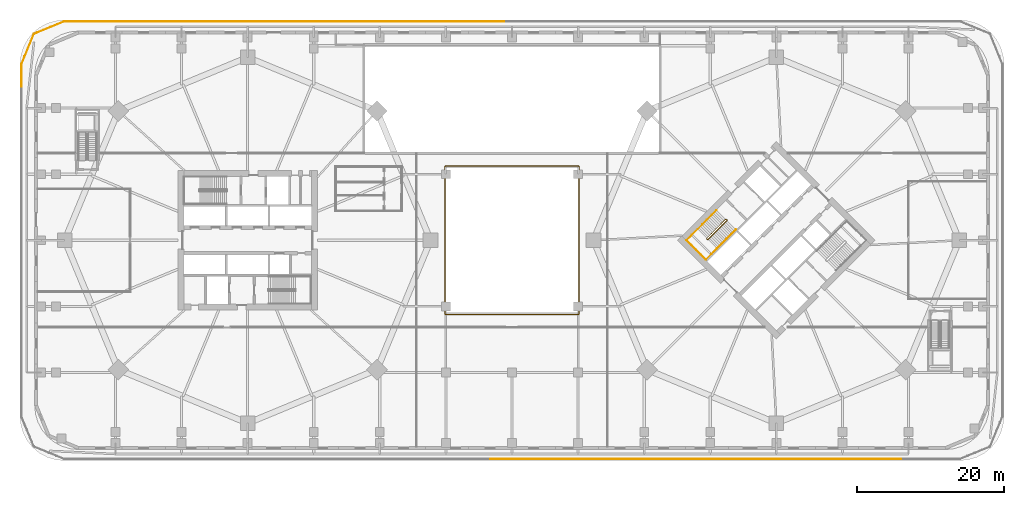
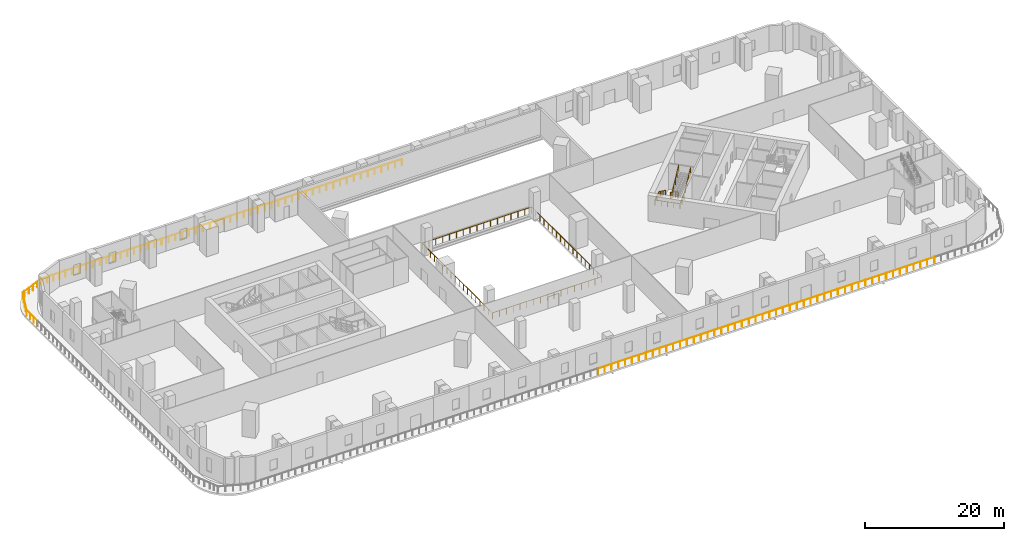
# One storey, part 15 of 17: 19 railings.
"""IFC4 building model written with IfcOpenShell, lengths in metres."""

from ifc_helpers import new_model, si_unit, direction, frame, origin, origin_2d, place, context, subcontext, project, spatial, circle, extrude, material, type_object, element, save


model = new_model("IFC4")

# Units and contexts
model_context = context("Model", 3, precision=1e-05, world=origin(), true_north=direction((0.0, 1.0)))
body_context = subcontext(model_context, "Body", "Model", "MODEL_VIEW")
ifc_project = project(units=[si_unit("LENGTHUNIT", "METRE"), si_unit("AREAUNIT", "SQUARE_METRE"), si_unit("VOLUMEUNIT", "CUBIC_METRE"), si_unit("PLANEANGLEUNIT", "RADIAN"), si_unit("MASSUNIT", "GRAM", prefix="KILO")], contexts=[model_context])

# Site, building, storey
site_placement = place(None, origin())
site = spatial("IfcSite", under=ifc_project, at=site_placement, CompositionType="ELEMENT")
building_placement = place(site_placement, origin())
building = spatial("IfcBuilding", under=site, at=building_placement, Name="Ogive Gate Towers", CompositionType="ELEMENT")
storey_placement = place(building_placement, frame((0.0, 0.0, 18.0)))
storey = spatial("IfcBuildingStorey", under=building, at=storey_placement, Name="L03", CompositionType="ELEMENT", Elevation=18.0)

# Railings
ifc_material_1 = material(Name="Stainless steel", Category="steel")
railing_type_1 = type_object("IfcRailingType", Name="Guard 1100", PredefinedType="GUARDRAIL", material=ifc_material_1)
for number, where, name in (
    (1, (-1.07763671875, 29.800048828125, 0.0), "Terrace guard"),
    (2, (-9.0673828125, 29.800048828125, 0.0), "Terrace guard"),
    (3, (-17.056884765625, 29.800048828125, 0.0), "Terrace guard"),
    (4, (-25.046630859375, 29.800048828125, 0.0), "Terrace guard"),
):
    element("IfcRailing", number, at=place(storey_placement, frame(where)), inside=storey, type_object=railing_type_1, Name=name, PredefinedType="GUARDRAIL", context=body_context, shape_type="SweptSolid", body=[
        extrude(circle(Radius=0.02392578125, at=origin_2d()), frame((0.0, 0.0, 1.076171875), z_axis=(-1.0, 0.0, 0.0), x_axis=(0.0, -1.0, 0.0)), (0.0, 0.0, 1.0), 7.939697265625),
        extrude(circle(Radius=0.02099609375, at=origin_2d()), origin(), (0.0, 0.0, 1.0), 1.052001953125),
        extrude(circle(Radius=0.02099609375, at=origin_2d()), frame((-1.13427734375, 0.0, 0.0)), (0.0, 0.0, 1.0), 1.052001953125),
        extrude(circle(Radius=0.02099609375, at=origin_2d()), frame((-2.2685546875, 0.0, 0.0)), (0.0, 0.0, 1.0), 1.052001953125),
        extrude(circle(Radius=0.02099609375, at=origin_2d()), frame((-3.40283203125, 0.0, 0.0)), (0.0, 0.0, 1.0), 1.052001953125),
        extrude(circle(Radius=0.02099609375, at=origin_2d()), frame((-4.536865234375, 0.0, 0.0)), (0.0, 0.0, 1.0), 1.052001953125),
        extrude(circle(Radius=0.02099609375, at=origin_2d()), frame((-5.671142578125, 0.0, 0.0)), (0.0, 0.0, 1.0), 1.052001953125),
        extrude(circle(Radius=0.02099609375, at=origin_2d()), frame((-6.805419921875, 0.0, 0.0)), (0.0, 0.0, 1.0), 1.052001953125),
        extrude(circle(Radius=0.02099609375, at=origin_2d()), frame((-7.939697265625, 0.0, 0.0)), (0.0, 0.0, 1.0), 1.052001953125),
    ])
railing_1_placement = place(storey_placement, frame((-33.036376953125, 29.800048828125, 0.0)))
element("IfcRailing", 5, at=railing_1_placement, inside=storey, type_object=railing_type_1, Name="Terrace guard", PredefinedType="GUARDRAIL", context=body_context, shape_type="SweptSolid", body=[
    extrude(circle(Radius=0.02392578125, at=origin_2d()), frame((0.0, 0.0, 1.076171875), z_axis=(-1.0, 0.0, 0.0), x_axis=(0.0, -1.0, 0.0)), (0.0, 0.0, 1.0), 7.939453125),
    extrude(circle(Radius=0.02099609375, at=origin_2d()), origin(), (0.0, 0.0, 1.0), 1.052001953125),
    extrude(circle(Radius=0.02099609375, at=origin_2d()), frame((-1.13427734375, 0.0, 0.0)), (0.0, 0.0, 1.0), 1.052001953125),
    extrude(circle(Radius=0.02099609375, at=origin_2d()), frame((-2.268310546875, 0.0, 0.0)), (0.0, 0.0, 1.0), 1.052001953125),
    extrude(circle(Radius=0.02099609375, at=origin_2d()), frame((-3.402587890625, 0.0, 0.0)), (0.0, 0.0, 1.0), 1.052001953125),
    extrude(circle(Radius=0.02099609375, at=origin_2d()), frame((-4.536865234375, 0.0, 0.0)), (0.0, 0.0, 1.0), 1.052001953125),
    extrude(circle(Radius=0.02099609375, at=origin_2d()), frame((-5.671142578125, 0.0, 0.0)), (0.0, 0.0, 1.0), 1.052001953125),
    extrude(circle(Radius=0.02099609375, at=origin_2d()), frame((-6.80517578125, 0.0, 0.0)), (0.0, 0.0, 1.0), 1.052001953125),
    extrude(circle(Radius=0.02099609375, at=origin_2d()), frame((-7.939453125, 0.0, 0.0)), (0.0, 0.0, 1.0), 1.052001953125),
])
for number, where, name in (
    (6, (-41.02587890625, 29.800048828125, 0.0), "Terrace guard"),
    (7, (-49.015380859375, 29.800048828125, 0.0), "Terrace guard"),
):
    element("IfcRailing", number, at=place(storey_placement, frame(where)), inside=storey, type_object=railing_type_1, Name=name, PredefinedType="GUARDRAIL", context=body_context, shape_type="SweptSolid", body=[
        extrude(circle(Radius=0.02392578125, at=origin_2d()), frame((0.0, 0.0, 1.076171875), z_axis=(-1.0, 0.0, 0.0), x_axis=(0.0, -1.0, 0.0)), (0.0, 0.0, 1.0), 7.939697265625),
        extrude(circle(Radius=0.02099609375, at=origin_2d()), origin(), (0.0, 0.0, 1.0), 1.052001953125),
        extrude(circle(Radius=0.02099609375, at=origin_2d()), frame((-1.13427734375, 0.0, 0.0)), (0.0, 0.0, 1.0), 1.052001953125),
        extrude(circle(Radius=0.02099609375, at=origin_2d()), frame((-2.2685546875, 0.0, 0.0)), (0.0, 0.0, 1.0), 1.052001953125),
        extrude(circle(Radius=0.02099609375, at=origin_2d()), frame((-3.40283203125, 0.0, 0.0)), (0.0, 0.0, 1.0), 1.052001953125),
        extrude(circle(Radius=0.02099609375, at=origin_2d()), frame((-4.536865234375, 0.0, 0.0)), (0.0, 0.0, 1.0), 1.052001953125),
        extrude(circle(Radius=0.02099609375, at=origin_2d()), frame((-5.671142578125, 0.0, 0.0)), (0.0, 0.0, 1.0), 1.052001953125),
        extrude(circle(Radius=0.02099609375, at=origin_2d()), frame((-6.805419921875, 0.0, 0.0)), (0.0, 0.0, 1.0), 1.052001953125),
        extrude(circle(Radius=0.02099609375, at=origin_2d()), frame((-7.939697265625, 0.0, 0.0)), (0.0, 0.0, 1.0), 1.052001953125),
    ])
railing_2_placement = place(storey_placement, frame((-57.005126953125, 29.800048828125, 0.0)))
element("IfcRailing", 8, at=railing_2_placement, inside=storey, type_object=railing_type_1, Name="Terrace guard", PredefinedType="GUARDRAIL", context=body_context, shape_type="SweptSolid", body=[
    extrude(circle(Radius=0.02392578125, at=origin_2d()), frame((0.0, 0.0, 1.076171875), z_axis=(-1.0, 0.0, 0.0), x_axis=(0.0, -1.0, 0.0)), (0.0, 0.0, 1.0), 3.994873046875),
    extrude(circle(Radius=0.02392578125, at=origin_2d()), frame((-3.994873046875, 0.0, 1.076171875), z_axis=(-0.923865967155, -0.382716180391, 0.0), x_axis=(0.382716180391, -0.923865967155, 0.0)), (0.0, 0.0, 1.0), 3.94482421875),
    extrude(circle(Radius=0.02099609375, at=origin_2d()), origin(), (0.0, 0.0, 1.0), 1.052001953125),
    extrude(circle(Radius=0.02099609375, at=origin_2d()), frame((-0.998779296875, 0.0, 0.0)), (0.0, 0.0, 1.0), 1.052001953125),
    extrude(circle(Radius=0.02099609375, at=origin_2d()), frame((-1.99755859375, 0.0, 0.0)), (0.0, 0.0, 1.0), 1.052001953125),
    extrude(circle(Radius=0.02099609375, at=origin_2d()), frame((-2.99609375, 0.0, 0.0)), (0.0, 0.0, 1.0), 1.052001953125),
    extrude(circle(Radius=0.02099609375, at=origin_2d()), frame((-3.994873046875, 0.0, 0.0)), (0.0, 0.0, 1.0), 1.052001953125),
    extrude(circle(Radius=0.02099609375, at=origin_2d()), frame((-4.906005859375, -0.37744140625, 0.0)), (0.0, 0.0, 1.0), 1.052001953125),
    extrude(circle(Radius=0.02099609375, at=origin_2d()), frame((-5.817138671875, -0.7548828125, 0.0)), (0.0, 0.0, 1.0), 1.052001953125),
    extrude(circle(Radius=0.02099609375, at=origin_2d()), frame((-6.728271484375, -1.13232421875, 0.0)), (0.0, 0.0, 1.0), 1.052001953125),
    extrude(circle(Radius=0.02099609375, at=origin_2d()), frame((-7.639404296875, -1.509765625, 0.0)), (0.0, 0.0, 1.0), 1.052001953125),
])
railing_3_placement = place(storey_placement, frame((-64.690673828125, 28.271240234375, 0.0)))
element("IfcRailing", 9, at=railing_3_placement, inside=storey, type_object=railing_type_1, Name="Terrace guard", PredefinedType="GUARDRAIL", context=body_context, shape_type="SweptSolid", body=[
    extrude(circle(Radius=0.02392578125, at=origin_2d()), frame((0.0, 0.0, 1.076171875), z_axis=(-0.924016832422, -0.382351792726, 0.0), x_axis=(0.382351792726, -0.924016832422, 0.0)), (0.0, 0.0, 1.0), 0.4443359375),
    extrude(circle(Radius=0.02392578125, at=origin_2d()), frame((-0.41064453125, -0.169921875, 1.076171875), z_axis=(-0.382665892976, -0.923886797369, 0.0), x_axis=(0.923886797369, -0.382665892976, 0.0)), (0.0, 0.0, 1.0), 4.439208984375),
    extrude(circle(Radius=0.02392578125, at=origin_2d()), frame((-2.109375, -4.271240234375, 1.076171875), z_axis=(0.0, -1.0, 0.0), x_axis=(1.0, 0.0, 0.0)), (0.0, 0.0, 1.0), 3.05615234375),
    extrude(circle(Radius=0.02099609375, at=origin_2d()), origin(), (0.0, 0.0, 1.0), 1.052001953125),
    extrude(circle(Radius=0.02099609375, at=origin_2d()), frame((-0.41064453125, -0.169921875, 0.0)), (0.0, 0.0, 1.0), 1.052001953125),
    extrude(circle(Radius=0.02099609375, at=origin_2d()), frame((-0.83544921875, -1.1953125, 0.0)), (0.0, 0.0, 1.0), 1.052001953125),
    extrude(circle(Radius=0.02099609375, at=origin_2d()), frame((-1.260009765625, -2.220703125, 0.0)), (0.0, 0.0, 1.0), 1.052001953125),
    extrude(circle(Radius=0.02099609375, at=origin_2d()), frame((-1.6845703125, -3.245849609375, 0.0)), (0.0, 0.0, 1.0), 1.052001953125),
    extrude(circle(Radius=0.02099609375, at=origin_2d()), frame((-2.109375, -4.271240234375, 0.0)), (0.0, 0.0, 1.0), 1.052001953125),
    extrude(circle(Radius=0.02099609375, at=origin_2d()), frame((-2.109375, -5.2900390625, 0.0)), (0.0, 0.0, 1.0), 1.052001953125),
    extrude(circle(Radius=0.02099609375, at=origin_2d()), frame((-2.109375, -6.30859375, 0.0)), (0.0, 0.0, 1.0), 1.052001953125),
    extrude(circle(Radius=0.02099609375, at=origin_2d()), frame((-2.109375, -7.327392578125, 0.0)), (0.0, 0.0, 1.0), 1.052001953125),
])
railing_4_placement = place(storey_placement, frame((-2.9169921875, -29.800048828125, 0.0)))
element("IfcRailing", 10, at=railing_4_placement, inside=storey, type_object=railing_type_1, Name="Terrace guard", PredefinedType="GUARDRAIL", context=body_context, shape_type="SweptSolid", body=[
    extrude(circle(Radius=0.02392578125, at=origin_2d()), frame((0.0, 0.0, 1.076171875), z_axis=(1.0, 0.0, 0.0), x_axis=(0.0, 1.0, 0.0)), (0.0, 0.0, 1.0), 7.939453125),
    extrude(circle(Radius=0.02099609375, at=origin_2d()), origin(), (0.0, 0.0, 1.0), 1.052001953125),
    extrude(circle(Radius=0.02099609375, at=origin_2d()), frame((1.13427734375, 0.0, 0.0)), (0.0, 0.0, 1.0), 1.052001953125),
    extrude(circle(Radius=0.02099609375, at=origin_2d()), frame((2.268310546875, 0.0, 0.0)), (0.0, 0.0, 1.0), 1.052001953125),
    extrude(circle(Radius=0.02099609375, at=origin_2d()), frame((3.402587890625, 0.0, 0.0)), (0.0, 0.0, 1.0), 1.052001953125),
    extrude(circle(Radius=0.02099609375, at=origin_2d()), frame((4.536865234375, 0.0, 0.0)), (0.0, 0.0, 1.0), 1.052001953125),
    extrude(circle(Radius=0.02099609375, at=origin_2d()), frame((5.671142578125, 0.0, 0.0)), (0.0, 0.0, 1.0), 1.052001953125),
    extrude(circle(Radius=0.02099609375, at=origin_2d()), frame((6.80517578125, 0.0, 0.0)), (0.0, 0.0, 1.0), 1.052001953125),
    extrude(circle(Radius=0.02099609375, at=origin_2d()), frame((7.939453125, 0.0, 0.0)), (0.0, 0.0, 1.0), 1.052001953125),
])
railing_5_placement = place(storey_placement, frame((5.072509765625, -29.800048828125, 0.0)))
element("IfcRailing", 11, at=railing_5_placement, inside=storey, type_object=railing_type_1, Name="Terrace guard", PredefinedType="GUARDRAIL", context=body_context, shape_type="SweptSolid", body=[
    extrude(circle(Radius=0.02392578125, at=origin_2d()), frame((0.0, 0.0, 1.076171875), z_axis=(1.0, 0.0, 0.0), x_axis=(0.0, 1.0, 0.0)), (0.0, 0.0, 1.0), 7.939697265625),
    extrude(circle(Radius=0.02099609375, at=origin_2d()), origin(), (0.0, 0.0, 1.0), 1.052001953125),
    extrude(circle(Radius=0.02099609375, at=origin_2d()), frame((1.13427734375, 0.0, 0.0)), (0.0, 0.0, 1.0), 1.052001953125),
    extrude(circle(Radius=0.02099609375, at=origin_2d()), frame((2.2685546875, 0.0, 0.0)), (0.0, 0.0, 1.0), 1.052001953125),
    extrude(circle(Radius=0.02099609375, at=origin_2d()), frame((3.40283203125, 0.0, 0.0)), (0.0, 0.0, 1.0), 1.052001953125),
    extrude(circle(Radius=0.02099609375, at=origin_2d()), frame((4.536865234375, 0.0, 0.0)), (0.0, 0.0, 1.0), 1.052001953125),
    extrude(circle(Radius=0.02099609375, at=origin_2d()), frame((5.671142578125, 0.0, 0.0)), (0.0, 0.0, 1.0), 1.052001953125),
    extrude(circle(Radius=0.02099609375, at=origin_2d()), frame((6.805419921875, 0.0, 0.0)), (0.0, 0.0, 1.0), 1.052001953125),
    extrude(circle(Radius=0.02099609375, at=origin_2d()), frame((7.939697265625, 0.0, 0.0)), (0.0, 0.0, 1.0), 1.052001953125),
])
railing_6_placement = place(storey_placement, frame((13.062255859375, -29.800048828125, 0.0)))
element("IfcRailing", 12, at=railing_6_placement, inside=storey, type_object=railing_type_1, Name="Terrace guard", PredefinedType="GUARDRAIL", context=body_context, shape_type="SweptSolid", body=[
    extrude(circle(Radius=0.02392578125, at=origin_2d()), frame((0.0, 0.0, 1.076171875), z_axis=(1.0, 0.0, 0.0), x_axis=(0.0, 1.0, 0.0)), (0.0, 0.0, 1.0), 7.939453125),
    extrude(circle(Radius=0.02099609375, at=origin_2d()), origin(), (0.0, 0.0, 1.0), 1.052001953125),
    extrude(circle(Radius=0.02099609375, at=origin_2d()), frame((1.13427734375, 0.0, 0.0)), (0.0, 0.0, 1.0), 1.052001953125),
    extrude(circle(Radius=0.02099609375, at=origin_2d()), frame((2.268310546875, 0.0, 0.0)), (0.0, 0.0, 1.0), 1.052001953125),
    extrude(circle(Radius=0.02099609375, at=origin_2d()), frame((3.402587890625, 0.0, 0.0)), (0.0, 0.0, 1.0), 1.052001953125),
    extrude(circle(Radius=0.02099609375, at=origin_2d()), frame((4.536865234375, 0.0, 0.0)), (0.0, 0.0, 1.0), 1.052001953125),
    extrude(circle(Radius=0.02099609375, at=origin_2d()), frame((5.671142578125, 0.0, 0.0)), (0.0, 0.0, 1.0), 1.052001953125),
    extrude(circle(Radius=0.02099609375, at=origin_2d()), frame((6.80517578125, 0.0, 0.0)), (0.0, 0.0, 1.0), 1.052001953125),
    extrude(circle(Radius=0.02099609375, at=origin_2d()), frame((7.939453125, 0.0, 0.0)), (0.0, 0.0, 1.0), 1.052001953125),
])
for number, where, name in (
    (13, (21.0517578125, -29.800048828125, 0.0), "Terrace guard"),
    (14, (29.04150390625, -29.800048828125, 0.0), "Terrace guard"),
    (15, (37.031005859375, -29.800048828125, 0.0), "Terrace guard"),
    (16, (45.020751953125, -29.800048828125, 0.0), "Terrace guard"),
):
    element("IfcRailing", number, at=place(storey_placement, frame(where)), inside=storey, type_object=railing_type_1, Name=name, PredefinedType="GUARDRAIL", context=body_context, shape_type="SweptSolid", body=[
        extrude(circle(Radius=0.02392578125, at=origin_2d()), frame((0.0, 0.0, 1.076171875), z_axis=(1.0, 0.0, 0.0), x_axis=(0.0, 1.0, 0.0)), (0.0, 0.0, 1.0), 7.939697265625),
        extrude(circle(Radius=0.02099609375, at=origin_2d()), origin(), (0.0, 0.0, 1.0), 1.052001953125),
        extrude(circle(Radius=0.02099609375, at=origin_2d()), frame((1.13427734375, 0.0, 0.0)), (0.0, 0.0, 1.0), 1.052001953125),
        extrude(circle(Radius=0.02099609375, at=origin_2d()), frame((2.2685546875, 0.0, 0.0)), (0.0, 0.0, 1.0), 1.052001953125),
        extrude(circle(Radius=0.02099609375, at=origin_2d()), frame((3.40283203125, 0.0, 0.0)), (0.0, 0.0, 1.0), 1.052001953125),
        extrude(circle(Radius=0.02099609375, at=origin_2d()), frame((4.536865234375, 0.0, 0.0)), (0.0, 0.0, 1.0), 1.052001953125),
        extrude(circle(Radius=0.02099609375, at=origin_2d()), frame((5.671142578125, 0.0, 0.0)), (0.0, 0.0, 1.0), 1.052001953125),
        extrude(circle(Radius=0.02099609375, at=origin_2d()), frame((6.805419921875, 0.0, 0.0)), (0.0, 0.0, 1.0), 1.052001953125),
        extrude(circle(Radius=0.02099609375, at=origin_2d()), frame((7.939697265625, 0.0, 0.0)), (0.0, 0.0, 1.0), 1.052001953125),
    ])
railing_type_2 = type_object("IfcRailingType", Name="Stair guard 1100", PredefinedType="GUARDRAIL", material=ifc_material_1)
railing_7_placement = place(storey_placement, frame((29.15869140625, 2.8603515625, 0.0)))
element("IfcRailing", 17, at=railing_7_placement, inside=storey, type_object=railing_type_2, Name="L03 ST1 stair guard 1", PredefinedType="GUARDRAIL", context=body_context, shape_type="SweptSolid", body=[
    extrude(circle(Radius=0.02392578125, at=origin_2d()), frame((0.0, 0.0, 1.076171875), z_axis=(0.707106781187, -0.707106781187, 0.0), x_axis=(0.707106781187, 0.707106781187, 0.0)), (0.0, 0.0, 1.0), 0.14501953125),
    extrude(circle(Radius=0.02392578125, at=origin_2d()), frame((0.1025390625, -0.1025390625, 1.076171875), z_axis=(-0.65494335095, 0.387977725527, 0.648477055524), x_axis=(-0.509669330572, -0.860370369942, 0.0)), (0.0, 0.0, 1.0), 0.264404296875),
    extrude(circle(Radius=0.02392578125, at=origin_2d()), frame((-0.070556640625, 0.0, 1.24755859375), z_axis=(-0.603067823642, -0.603067823642, 0.522128719929), x_axis=(0.707106781187, -0.707106781187, 0.0)), (0.0, 0.0, 1.0), 4.26806640625),
    extrude(circle(Radius=0.02392578125, at=origin_2d()), frame((-2.64453125, -2.573974609375, 3.47607421875), z_axis=(0.0, -1.0, 0.0), x_axis=(1.0, 0.0, 0.0)), (0.0, 0.0, 1.0), 0.07080078125),
    extrude(circle(Radius=0.02392578125, at=origin_2d()), frame((-2.64453125, -2.644775390625, 3.47607421875), z_axis=(0.707106781187, -0.707106781187, 0.0), x_axis=(0.707106781187, 0.707106781187, 0.0)), (0.0, 0.0, 1.0), 0.14501953125),
    extrude(circle(Radius=0.02392578125, at=origin_2d()), frame((-2.5419921875, -2.747314453125, 3.47607421875), z_axis=(0.381344969993, 0.0, 0.924432806569), x_axis=(0.0, 1.0, 0.0)), (0.0, 0.0, 1.0), 0.185546875),
    extrude(circle(Radius=0.02392578125, at=origin_2d()), frame((-2.47119140625, -2.747314453125, 3.6474609375), z_axis=(0.603031424376, 0.60308862713, 0.522146731333), x_axis=(-0.707140316402, 0.707073244381, 0.0)), (0.0, 0.0, 1.0), 4.26806640625),
    extrude(circle(Radius=0.02099609375, at=origin_2d()), origin(), (0.0, 0.0, 1.0), 1.052001953125),
    extrude(circle(Radius=0.02099609375, at=origin_2d()), frame((0.1025390625, -0.1025390625, 0.0)), (0.0, 0.0, 1.0), 1.052001953125),
    extrude(circle(Radius=0.02099609375, at=origin_2d()), frame((-0.070556640625, 0.0, 0.17138671875)), (0.0, 0.0, 1.0), 1.052001953125),
    extrude(circle(Radius=0.02099609375, at=origin_2d()), frame((-0.714111328125, -0.6435546875, 0.728515625)), (0.0, 0.0, 1.0), 1.052001953125),
    extrude(circle(Radius=0.02099609375, at=origin_2d()), frame((-1.357421875, -1.287109375, 1.28564453125)), (0.0, 0.0, 1.0), 1.052001953125),
    extrude(circle(Radius=0.02099609375, at=origin_2d()), frame((-2.0009765625, -1.930419921875, 1.8427734375)), (0.0, 0.0, 1.0), 1.052001953125),
    extrude(circle(Radius=0.02099609375, at=origin_2d()), frame((-2.64453125, -2.573974609375, 2.39990234375)), (0.0, 0.0, 1.0), 1.052001953125),
    extrude(circle(Radius=0.02099609375, at=origin_2d()), frame((-2.64453125, -2.644775390625, 2.39990234375)), (0.0, 0.0, 1.0), 1.052001953125),
    extrude(circle(Radius=0.02099609375, at=origin_2d()), frame((-2.5419921875, -2.747314453125, 2.39990234375)), (0.0, 0.0, 1.0), 1.052001953125),
    extrude(circle(Radius=0.02099609375, at=origin_2d()), frame((-2.47119140625, -2.747314453125, 2.571533203125)), (0.0, 0.0, 1.0), 1.052001953125),
    extrude(circle(Radius=0.02099609375, at=origin_2d()), frame((-1.82763671875, -2.103759765625, 3.128662109375)), (0.0, 0.0, 1.0), 1.052001953125),
    extrude(circle(Radius=0.02099609375, at=origin_2d()), frame((-1.184326171875, -1.46044921875, 3.685791015625)), (0.0, 0.0, 1.0), 1.052001953125),
    extrude(circle(Radius=0.02099609375, at=origin_2d()), frame((-0.541015625, -0.81689453125, 4.242919921875)), (0.0, 0.0, 1.0), 1.052001953125),
    extrude(circle(Radius=0.02099609375, at=origin_2d()), frame((0.1025390625, -0.17333984375, 4.800048828125)), (0.0, 0.0, 1.0), 1.052001953125),
])
railing_type_3 = type_object("IfcRailingType", Name="Stair handrail 900", PredefinedType="HANDRAIL", material=ifc_material_1)
railing_8_placement = place(storey_placement, frame((27.857666015625, 4.090576171875, 0.17138671875)))
element("IfcRailing", 18, at=railing_8_placement, inside=storey, type_object=railing_type_3, Name="L03 ST1 stair handrail 1", PredefinedType="HANDRAIL", context=body_context, shape_type="SweptSolid", body=[
    extrude(circle(Radius=0.02392578125, at=origin_2d()), frame((0.0, 0.0, 0.8759765625), z_axis=(-0.60308862713, -0.603031424376, 0.522146731333), x_axis=(0.707073244381, -0.707140316402, 0.0)), (0.0, 0.0, 1.0), 4.26806640625),
    extrude(circle(Radius=0.02392578125, at=origin_2d()), frame((-2.573974609375, -2.57373046875, 3.1044921875), z_axis=(-0.707049868894, -0.707163688899, 0.0), x_axis=(0.707163688899, -0.707049868894, 0.0)), (0.0, 0.0, 1.0), 2.14501953125),
    extrude(circle(Radius=0.02392578125, at=origin_2d()), frame((-4.090576171875, -4.090576171875, 3.1044921875), z_axis=(0.707106781187, -0.707106781187, 0.0), x_axis=(0.707106781187, 0.707106781187, 0.0)), (0.0, 0.0, 1.0), 3.72509765625),
    extrude(circle(Radius=0.02392578125, at=origin_2d()), frame((-1.45654296875, -6.724609375, 3.1044921875), z_axis=(0.704797245584, 0.704910702964, 0.079760538256), x_axis=(-0.707163688899, 0.707049868894, 0.0)), (0.0, 0.0, 1.0), 2.15185546875),
    extrude(circle(Radius=0.02392578125, at=origin_2d()), frame((0.06005859375, -5.207763671875, 3.27587890625), z_axis=(0.60308862713, 0.603031424376, 0.522146731333), x_axis=(-0.707073244381, 0.707140316402, 0.0)), (0.0, 0.0, 1.0), 4.26806640625),
    extrude(circle(Radius=0.02099609375, at=origin_2d()), origin(), (0.0, 0.0, 1.0), 0.851806640625),
    extrude(circle(Radius=0.02099609375, at=origin_2d()), frame((-0.6435546875, -0.6435546875, 0.55712890625)), (0.0, 0.0, 1.0), 0.851806640625),
    extrude(circle(Radius=0.02099609375, at=origin_2d()), frame((-1.287109375, -1.286865234375, 1.1142578125)), (0.0, 0.0, 1.0), 0.851806640625),
    extrude(circle(Radius=0.02099609375, at=origin_2d()), frame((-1.930419921875, -1.93017578125, 1.67138671875)), (0.0, 0.0, 1.0), 0.851806640625),
    extrude(circle(Radius=0.02099609375, at=origin_2d()), frame((-2.573974609375, -2.57373046875, 2.228515625)), (0.0, 0.0, 1.0), 0.851806640625),
    extrude(circle(Radius=0.02099609375, at=origin_2d()), frame((-3.332275390625, -3.33203125, 2.228515625)), (0.0, 0.0, 1.0), 0.851806640625),
    extrude(circle(Radius=0.02099609375, at=origin_2d()), frame((-4.090576171875, -4.090576171875, 2.228515625)), (0.0, 0.0, 1.0), 0.851806640625),
    extrude(circle(Radius=0.02099609375, at=origin_2d()), frame((-3.43212890625, -4.7490234375, 2.228515625)), (0.0, 0.0, 1.0), 0.851806640625),
    extrude(circle(Radius=0.02099609375, at=origin_2d()), frame((-2.7734375, -5.40771484375, 2.228515625)), (0.0, 0.0, 1.0), 0.851806640625),
    extrude(circle(Radius=0.02099609375, at=origin_2d()), frame((-2.114990234375, -6.066162109375, 2.228515625)), (0.0, 0.0, 1.0), 0.851806640625),
    extrude(circle(Radius=0.02099609375, at=origin_2d()), frame((-1.45654296875, -6.724609375, 2.228515625)), (0.0, 0.0, 1.0), 0.851806640625),
    extrude(circle(Radius=0.02099609375, at=origin_2d()), frame((-0.6982421875, -5.96630859375, 2.314453125)), (0.0, 0.0, 1.0), 0.851806640625),
    extrude(circle(Radius=0.02099609375, at=origin_2d()), frame((0.06005859375, -5.207763671875, 2.400146484375)), (0.0, 0.0, 1.0), 0.851806640625),
    extrude(circle(Radius=0.02099609375, at=origin_2d()), frame((0.70361328125, -4.564453125, 2.957275390625)), (0.0, 0.0, 1.0), 0.851806640625),
    extrude(circle(Radius=0.02099609375, at=origin_2d()), frame((1.34716796875, -3.9208984375, 3.514404296875)), (0.0, 0.0, 1.0), 0.851806640625),
    extrude(circle(Radius=0.02099609375, at=origin_2d()), frame((1.990478515625, -3.27734375, 4.071533203125)), (0.0, 0.0, 1.0), 0.851806640625),
    extrude(circle(Radius=0.02099609375, at=origin_2d()), frame((2.634033203125, -2.634033203125, 4.628662109375)), (0.0, 0.0, 1.0), 0.851806640625),
])
ifc_material_2 = material(Name="Steel and glass guard", Category="steel")
railing_type_4 = type_object("IfcRailingType", Name="Void guard 1100", PredefinedType="GUARDRAIL", material=ifc_material_2)
railing_9_placement = place(storey_placement, frame((-9.10009765625, -10.10009765625, 0.0)))
element("IfcRailing", 19, at=railing_9_placement, inside=storey, type_object=railing_type_4, Name="L03 nave guard", PredefinedType="GUARDRAIL", context=body_context, shape_type="SweptSolid", body=[
    extrude(circle(Radius=0.02392578125, at=origin_2d()), frame((0.0, 0.0, 1.076171875), z_axis=(0.0, 1.0, 0.0), x_axis=(-1.0, 0.0, 0.0)), (0.0, 0.0, 1.0), 20.2001953125),
    extrude(circle(Radius=0.02392578125, at=origin_2d()), frame((0.0, 20.2001953125, 1.076171875), z_axis=(1.0, 0.0, 0.0), x_axis=(0.0, 1.0, 0.0)), (0.0, 0.0, 1.0), 18.2001953125),
    extrude(circle(Radius=0.02392578125, at=origin_2d()), frame((18.2001953125, 20.2001953125, 1.076171875), z_axis=(0.0, -1.0, 0.0), x_axis=(1.0, 0.0, 0.0)), (0.0, 0.0, 1.0), 20.2001953125),
    extrude(circle(Radius=0.02392578125, at=origin_2d()), frame((18.2001953125, 0.0, 1.076171875), z_axis=(-1.0, 0.0, 0.0), x_axis=(0.0, -1.0, 0.0)), (0.0, 0.0, 1.0), 18.130126953125),
    extrude(circle(Radius=0.02099609375, at=origin_2d()), origin(), (0.0, 0.0, 1.0), 1.052001953125),
    extrude(circle(Radius=0.02099609375, at=origin_2d()), frame((0.0, 1.188232421875, 0.0)), (0.0, 0.0, 1.0), 1.052001953125),
    extrude(circle(Radius=0.02099609375, at=origin_2d()), frame((0.0, 2.37646484375, 0.0)), (0.0, 0.0, 1.0), 1.052001953125),
    extrude(circle(Radius=0.02099609375, at=origin_2d()), frame((0.0, 3.564697265625, 0.0)), (0.0, 0.0, 1.0), 1.052001953125),
    extrude(circle(Radius=0.02099609375, at=origin_2d()), frame((0.0, 4.7529296875, 0.0)), (0.0, 0.0, 1.0), 1.052001953125),
    extrude(circle(Radius=0.02099609375, at=origin_2d()), frame((0.0, 5.941162109375, 0.0)), (0.0, 0.0, 1.0), 1.052001953125),
    extrude(circle(Radius=0.02099609375, at=origin_2d()), frame((0.0, 7.12939453125, 0.0)), (0.0, 0.0, 1.0), 1.052001953125),
    extrude(circle(Radius=0.02099609375, at=origin_2d()), frame((0.0, 8.317626953125, 0.0)), (0.0, 0.0, 1.0), 1.052001953125),
    extrude(circle(Radius=0.02099609375, at=origin_2d()), frame((0.0, 9.505859375, 0.0)), (0.0, 0.0, 1.0), 1.052001953125),
    extrude(circle(Radius=0.02099609375, at=origin_2d()), frame((0.0, 10.6943359375, 0.0)), (0.0, 0.0, 1.0), 1.052001953125),
    extrude(circle(Radius=0.02099609375, at=origin_2d()), frame((0.0, 11.882568359375, 0.0)), (0.0, 0.0, 1.0), 1.052001953125),
    extrude(circle(Radius=0.02099609375, at=origin_2d()), frame((0.0, 13.07080078125, 0.0)), (0.0, 0.0, 1.0), 1.052001953125),
    extrude(circle(Radius=0.02099609375, at=origin_2d()), frame((0.0, 14.259033203125, 0.0)), (0.0, 0.0, 1.0), 1.052001953125),
    extrude(circle(Radius=0.02099609375, at=origin_2d()), frame((0.0, 15.447265625, 0.0)), (0.0, 0.0, 1.0), 1.052001953125),
    extrude(circle(Radius=0.02099609375, at=origin_2d()), frame((0.0, 16.635498046875, 0.0)), (0.0, 0.0, 1.0), 1.052001953125),
    extrude(circle(Radius=0.02099609375, at=origin_2d()), frame((0.0, 17.82373046875, 0.0)), (0.0, 0.0, 1.0), 1.052001953125),
    extrude(circle(Radius=0.02099609375, at=origin_2d()), frame((0.0, 19.011962890625, 0.0)), (0.0, 0.0, 1.0), 1.052001953125),
    extrude(circle(Radius=0.02099609375, at=origin_2d()), frame((0.0, 20.2001953125, 0.0)), (0.0, 0.0, 1.0), 1.052001953125),
    extrude(circle(Radius=0.02099609375, at=origin_2d()), frame((1.137451171875, 20.2001953125, 0.0)), (0.0, 0.0, 1.0), 1.052001953125),
    extrude(circle(Radius=0.02099609375, at=origin_2d()), frame((2.27490234375, 20.2001953125, 0.0)), (0.0, 0.0, 1.0), 1.052001953125),
    extrude(circle(Radius=0.02099609375, at=origin_2d()), frame((3.41259765625, 20.2001953125, 0.0)), (0.0, 0.0, 1.0), 1.052001953125),
    extrude(circle(Radius=0.02099609375, at=origin_2d()), frame((4.550048828125, 20.2001953125, 0.0)), (0.0, 0.0, 1.0), 1.052001953125),
    extrude(circle(Radius=0.02099609375, at=origin_2d()), frame((5.6875, 20.2001953125, 0.0)), (0.0, 0.0, 1.0), 1.052001953125),
    extrude(circle(Radius=0.02099609375, at=origin_2d()), frame((6.8251953125, 20.2001953125, 0.0)), (0.0, 0.0, 1.0), 1.052001953125),
    extrude(circle(Radius=0.02099609375, at=origin_2d()), frame((7.962646484375, 20.2001953125, 0.0)), (0.0, 0.0, 1.0), 1.052001953125),
    extrude(circle(Radius=0.02099609375, at=origin_2d()), frame((9.10009765625, 20.2001953125, 0.0)), (0.0, 0.0, 1.0), 1.052001953125),
    extrude(circle(Radius=0.02099609375, at=origin_2d()), frame((10.237548828125, 20.2001953125, 0.0)), (0.0, 0.0, 1.0), 1.052001953125),
    extrude(circle(Radius=0.02099609375, at=origin_2d()), frame((11.375, 20.2001953125, 0.0)), (0.0, 0.0, 1.0), 1.052001953125),
    extrude(circle(Radius=0.02099609375, at=origin_2d()), frame((12.5126953125, 20.2001953125, 0.0)), (0.0, 0.0, 1.0), 1.052001953125),
    extrude(circle(Radius=0.02099609375, at=origin_2d()), frame((13.650146484375, 20.2001953125, 0.0)), (0.0, 0.0, 1.0), 1.052001953125),
    extrude(circle(Radius=0.02099609375, at=origin_2d()), frame((14.78759765625, 20.2001953125, 0.0)), (0.0, 0.0, 1.0), 1.052001953125),
    extrude(circle(Radius=0.02099609375, at=origin_2d()), frame((15.92529296875, 20.2001953125, 0.0)), (0.0, 0.0, 1.0), 1.052001953125),
    extrude(circle(Radius=0.02099609375, at=origin_2d()), frame((17.062744140625, 20.2001953125, 0.0)), (0.0, 0.0, 1.0), 1.052001953125),
    extrude(circle(Radius=0.02099609375, at=origin_2d()), frame((18.2001953125, 20.2001953125, 0.0)), (0.0, 0.0, 1.0), 1.052001953125),
    extrude(circle(Radius=0.02099609375, at=origin_2d()), frame((18.2001953125, 19.011962890625, 0.0)), (0.0, 0.0, 1.0), 1.052001953125),
    extrude(circle(Radius=0.02099609375, at=origin_2d()), frame((18.2001953125, 17.82373046875, 0.0)), (0.0, 0.0, 1.0), 1.052001953125),
    extrude(circle(Radius=0.02099609375, at=origin_2d()), frame((18.2001953125, 16.635498046875, 0.0)), (0.0, 0.0, 1.0), 1.052001953125),
    extrude(circle(Radius=0.02099609375, at=origin_2d()), frame((18.2001953125, 15.447265625, 0.0)), (0.0, 0.0, 1.0), 1.052001953125),
    extrude(circle(Radius=0.02099609375, at=origin_2d()), frame((18.2001953125, 14.259033203125, 0.0)), (0.0, 0.0, 1.0), 1.052001953125),
    extrude(circle(Radius=0.02099609375, at=origin_2d()), frame((18.2001953125, 13.07080078125, 0.0)), (0.0, 0.0, 1.0), 1.052001953125),
    extrude(circle(Radius=0.02099609375, at=origin_2d()), frame((18.2001953125, 11.882568359375, 0.0)), (0.0, 0.0, 1.0), 1.052001953125),
    extrude(circle(Radius=0.02099609375, at=origin_2d()), frame((18.2001953125, 10.6943359375, 0.0)), (0.0, 0.0, 1.0), 1.052001953125),
    extrude(circle(Radius=0.02099609375, at=origin_2d()), frame((18.2001953125, 9.505859375, 0.0)), (0.0, 0.0, 1.0), 1.052001953125),
    extrude(circle(Radius=0.02099609375, at=origin_2d()), frame((18.2001953125, 8.317626953125, 0.0)), (0.0, 0.0, 1.0), 1.052001953125),
    extrude(circle(Radius=0.02099609375, at=origin_2d()), frame((18.2001953125, 7.12939453125, 0.0)), (0.0, 0.0, 1.0), 1.052001953125),
    extrude(circle(Radius=0.02099609375, at=origin_2d()), frame((18.2001953125, 5.941162109375, 0.0)), (0.0, 0.0, 1.0), 1.052001953125),
    extrude(circle(Radius=0.02099609375, at=origin_2d()), frame((18.2001953125, 4.7529296875, 0.0)), (0.0, 0.0, 1.0), 1.052001953125),
    extrude(circle(Radius=0.02099609375, at=origin_2d()), frame((18.2001953125, 3.564697265625, 0.0)), (0.0, 0.0, 1.0), 1.052001953125),
    extrude(circle(Radius=0.02099609375, at=origin_2d()), frame((18.2001953125, 2.37646484375, 0.0)), (0.0, 0.0, 1.0), 1.052001953125),
    extrude(circle(Radius=0.02099609375, at=origin_2d()), frame((18.2001953125, 1.188232421875, 0.0)), (0.0, 0.0, 1.0), 1.052001953125),
    extrude(circle(Radius=0.02099609375, at=origin_2d()), frame((18.2001953125, 0.0, 0.0)), (0.0, 0.0, 1.0), 1.052001953125),
    extrude(circle(Radius=0.02099609375, at=origin_2d()), frame((17.067138671875, 0.0, 0.0)), (0.0, 0.0, 1.0), 1.052001953125),
    extrude(circle(Radius=0.02099609375, at=origin_2d()), frame((15.933837890625, 0.0, 0.0)), (0.0, 0.0, 1.0), 1.052001953125),
    extrude(circle(Radius=0.02099609375, at=origin_2d()), frame((14.80078125, 0.0, 0.0)), (0.0, 0.0, 1.0), 1.052001953125),
    extrude(circle(Radius=0.02099609375, at=origin_2d()), frame((13.667724609375, 0.0, 0.0)), (0.0, 0.0, 1.0), 1.052001953125),
    extrude(circle(Radius=0.02099609375, at=origin_2d()), frame((12.534423828125, 0.0, 0.0)), (0.0, 0.0, 1.0), 1.052001953125),
    extrude(circle(Radius=0.02099609375, at=origin_2d()), frame((11.4013671875, 0.0, 0.0)), (0.0, 0.0, 1.0), 1.052001953125),
    extrude(circle(Radius=0.02099609375, at=origin_2d()), frame((10.268310546875, 0.0, 0.0)), (0.0, 0.0, 1.0), 1.052001953125),
    extrude(circle(Radius=0.02099609375, at=origin_2d()), frame((9.13525390625, 0.0, 0.0)), (0.0, 0.0, 1.0), 1.052001953125),
    extrude(circle(Radius=0.02099609375, at=origin_2d()), frame((8.001953125, 0.0, 0.0)), (0.0, 0.0, 1.0), 1.052001953125),
    extrude(circle(Radius=0.02099609375, at=origin_2d()), frame((6.868896484375, 0.0, 0.0)), (0.0, 0.0, 1.0), 1.052001953125),
    extrude(circle(Radius=0.02099609375, at=origin_2d()), frame((5.73583984375, 0.0, 0.0)), (0.0, 0.0, 1.0), 1.052001953125),
    extrude(circle(Radius=0.02099609375, at=origin_2d()), frame((4.6025390625, 0.0, 0.0)), (0.0, 0.0, 1.0), 1.052001953125),
    extrude(circle(Radius=0.02099609375, at=origin_2d()), frame((3.469482421875, 0.0, 0.0)), (0.0, 0.0, 1.0), 1.052001953125),
    extrude(circle(Radius=0.02099609375, at=origin_2d()), frame((2.33642578125, 0.0, 0.0)), (0.0, 0.0, 1.0), 1.052001953125),
    extrude(circle(Radius=0.02099609375, at=origin_2d()), frame((1.203125, 0.0, 0.0)), (0.0, 0.0, 1.0), 1.052001953125),
    extrude(circle(Radius=0.02099609375, at=origin_2d()), frame((0.070068359375, 0.0, 0.0)), (0.0, 0.0, 1.0), 1.052001953125),
])

save(model, "model.ifc")
